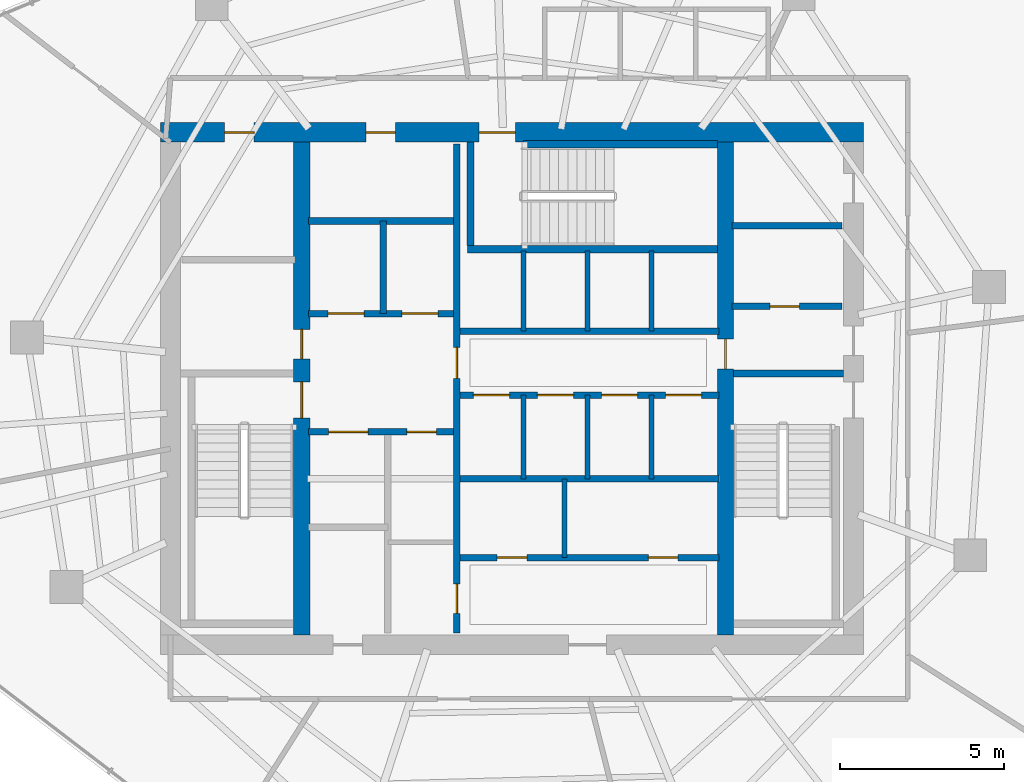
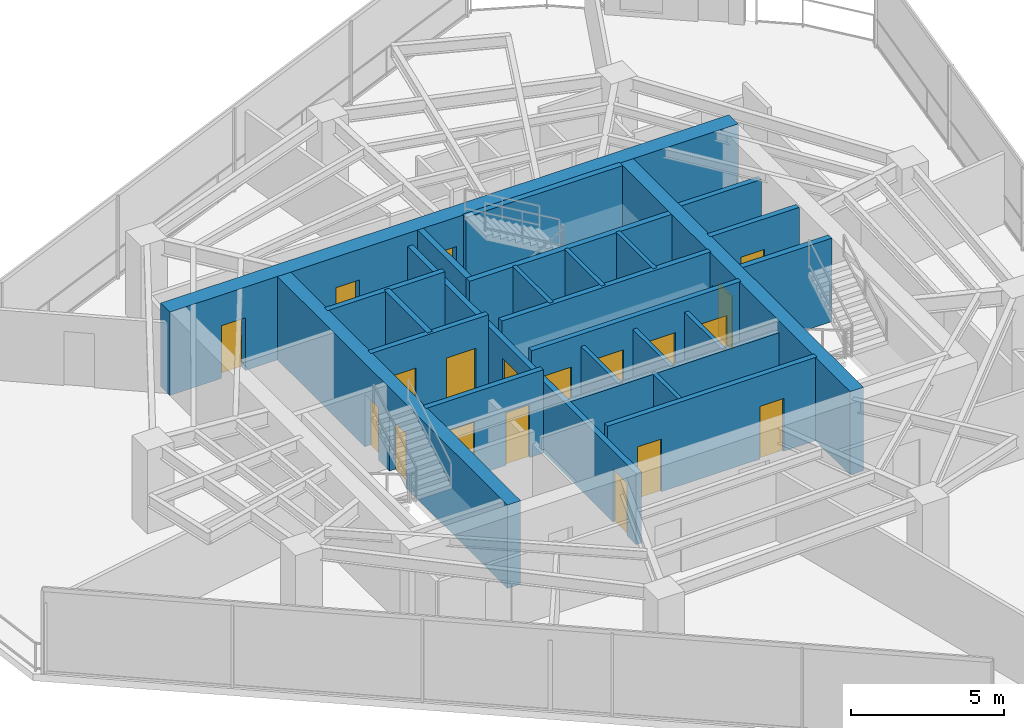
# One storey, part 16 of 20: 25 walls, 19 doors, 19 openings.
"""IFC4 building model written with IfcOpenShell, lengths in metres."""

from ifc_helpers import new_model, si_unit, direction, frame, frame_2d, origin, place, context, subcontext, project, spatial, rectangle, extrude, material, layer, layer_set, type_object, element, fill, save


model = new_model("IFC4")

# Units and contexts
model_context = context("Model", 3, precision=1e-05, world=origin(), true_north=direction((0.0, 1.0)))
body_context = subcontext(model_context, "Body", "Model", "MODEL_VIEW")
ifc_project = project(units=[si_unit("LENGTHUNIT", "METRE"), si_unit("AREAUNIT", "SQUARE_METRE"), si_unit("VOLUMEUNIT", "CUBIC_METRE"), si_unit("PLANEANGLEUNIT", "RADIAN"), si_unit("MASSUNIT", "GRAM", prefix="KILO")], contexts=[model_context])

# Site, building, storey
site_placement = place(None, origin())
site = spatial("IfcSite", under=ifc_project, at=site_placement, CompositionType="ELEMENT")
building_placement = place(site_placement, origin())
building = spatial("IfcBuilding", under=site, at=building_placement, Name="Qarnah Convention Tower", CompositionType="ELEMENT")
storey_placement = place(building_placement, frame((0.0, 0.0, 150.89990234375)))
storey = spatial("IfcBuildingStorey", under=building, at=storey_placement, Name="L40", CompositionType="ELEMENT", Elevation=150.89990234375)

# Wall, openings, doors
ifc_material_1 = material(Name="Concrete C60/75", Category="concrete")
ifc_layer_1 = layer(ifc_material_1, 0.60009765625)
ifc_layer_set_1 = layer_set([ifc_layer_1], Name="Concrete C60/75")
wall_type_1 = type_object("IfcWallType", Name="WL-CORE-600", PredefinedType="SHEAR", material=ifc_layer_set_1)
wall_1_placement = place(storey_placement, frame((26.5, 34.199951171875, 0.0), z_axis=(0.0, 0.0, 1.0), x_axis=(1.0, 0.0, 0.0)))
wall_1 = element("IfcWall", 1, at=wall_1_placement, inside=storey, type_object=wall_type_1, Name="L40 core north shear wall", PredefinedType="SHEAR", context=body_context, shape_type="SweptSolid", body=[
    extrude(rectangle(XDim=21.39990234375, YDim=0.60009765625, at=frame_2d((10.699951171875, 0.0))), origin(), (0.0, 0.0, 1.0), 3.320068359375),
])
opening_1_placement = place(wall_1_placement, frame((9.699951171875, 0.0, 0.0)))
opening_1 = element("IfcOpeningElement", 2, at=opening_1_placement, cuts=wall_1, Name="Opening D-4003", PredefinedType="OPENING", context=body_context, shape_type="SweptSolid", body=[
    extrude(rectangle(XDim=1.10009765625, YDim=2.14990234375, at=frame_2d((0.550048828125, 1.074951171875))), frame((0.0, 0.31005859375, 0.0), z_axis=(0.0, -1.0, 0.0), x_axis=(1.0, 0.0, 0.0)), (0.0, 0.0, 1.0), 0.6201171875),
])
opening_2_placement = place(wall_1_placement, frame((1.949951171875, 0.0, 0.0)))
opening_2 = element("IfcOpeningElement", 3, at=opening_2_placement, cuts=wall_1, Name="Opening D-4009", PredefinedType="OPENING", context=body_context, shape_type="SweptSolid", body=[
    extrude(rectangle(XDim=0.89990234375, YDim=2.10009765625, at=frame_2d((0.449951171875, 1.050048828125))), frame((0.0, 0.31005859375, 0.0), z_axis=(0.0, -1.0, 0.0), x_axis=(1.0, 0.0, 0.0)), (0.0, 0.0, 1.0), 0.6201171875),
])
opening_3_placement = place(wall_1_placement, frame((6.25, 0.0, 0.0)))
opening_3 = element("IfcOpeningElement", 4, at=opening_3_placement, cuts=wall_1, Name="Opening D-4010", PredefinedType="OPENING", context=body_context, shape_type="SweptSolid", body=[
    extrude(rectangle(XDim=0.89990234375, YDim=2.10009765625, at=frame_2d((0.449951171875, 1.050048828125))), frame((0.0, 0.31005859375, 0.0), z_axis=(0.0, -1.0, 0.0), x_axis=(1.0, 0.0, 0.0)), (0.0, 0.0, 1.0), 0.6201171875),
])
ifc_material_2 = material(Name="Structural steel S355JR", Category="steel")
door_type_1 = type_object("IfcDoorType", Name="DT-RISER-900", OperationType="NOTDEFINED", PredefinedType="DOOR", material=ifc_material_2)
door_1_placement = place(opening_2_placement, origin())
door_1 = element("IfcDoor", 5, at=door_1_placement, inside=storey, type_object=door_type_1, Name="Door D-4009", OperationType="SINGLE_SWING_RIGHT", OverallHeight=2.10009765625, OverallWidth=0.89990234375, PredefinedType="DOOR", context=body_context, shape_type="SweptSolid", body=[
    extrude(rectangle(XDim=0.89990234375, YDim=2.10009765625, at=frame_2d((0.449951171875, 1.050048828125))), frame((0.0, 0.02490234375, 0.0), z_axis=(0.0, -1.0, 0.0), x_axis=(1.0, 0.0, 0.0)), (0.0, 0.0, 1.0), 0.050048828125),
])
fill(opening_2, door_1)
door_2_placement = place(opening_3_placement, origin())
door_2 = element("IfcDoor", 6, at=door_2_placement, inside=storey, type_object=door_type_1, Name="Door D-4010", OperationType="SINGLE_SWING_LEFT", OverallHeight=2.10009765625, OverallWidth=0.89990234375, PredefinedType="DOOR", context=body_context, shape_type="SweptSolid", body=[
    extrude(rectangle(XDim=0.89990234375, YDim=2.10009765625, at=frame_2d((0.449951171875, 1.050048828125))), frame((0.0, 0.02490234375, 0.0), z_axis=(0.0, -1.0, 0.0), x_axis=(1.0, 0.0, 0.0)), (0.0, 0.0, 1.0), 0.050048828125),
])
fill(opening_3, door_2)
door_type_2 = type_object("IfcDoorType", Name="DT-STAIR-1100", OperationType="NOTDEFINED", PredefinedType="DOOR", material=ifc_material_2)
door_3_placement = place(opening_1_placement, origin())
door_3 = element("IfcDoor", 7, at=door_3_placement, inside=storey, type_object=door_type_2, Name="Door D-4003", OperationType="SINGLE_SWING_RIGHT", OverallHeight=2.14990234375, OverallWidth=1.10009765625, PredefinedType="DOOR", context=body_context, shape_type="SweptSolid", body=[
    extrude(rectangle(XDim=1.10009765625, YDim=2.14990234375, at=frame_2d((0.550048828125, 1.074951171875))), frame((0.0, 0.02490234375, 0.0), z_axis=(0.0, -1.0, 0.0), x_axis=(1.0, 0.0, 0.0)), (0.0, 0.0, 1.0), 0.050048828125),
])
fill(opening_1, door_3)

ifc_layer_2 = layer(ifc_material_1, 0.5)
ifc_layer_set_2 = layer_set([ifc_layer_2], Name="Concrete C60/75")
wall_type_2 = type_object("IfcWallType", Name="WL-CORE-INT-400", PredefinedType="SHEAR", material=ifc_layer_set_2)
wall_2_placement = place(storey_placement, frame((30.800048828125, 18.89990234375, 0.0), z_axis=(0.0, 0.0, 1.0), x_axis=(0.0, 1.0, 0.0)))
wall_2 = element("IfcWall", 8, at=wall_2_placement, inside=storey, type_object=wall_type_2, Name="L40 core west spine shear wall", PredefinedType="SHEAR", context=body_context, shape_type="SweptSolid", body=[
    extrude(rectangle(XDim=15.0, YDim=0.5, at=frame_2d((7.5, 0.0))), origin(), (0.0, 0.0, 1.0), 3.320068359375),
])
opening_4_placement = place(wall_2_placement, frame((6.60009765625, 0.0, 0.0)))
opening_4 = element("IfcOpeningElement", 9, at=opening_4_placement, cuts=wall_2, Name="Opening D-4001", PredefinedType="OPENING", context=body_context, shape_type="SweptSolid", body=[
    extrude(rectangle(XDim=1.10009765625, YDim=2.14990234375, at=frame_2d((0.550048828125, 1.074951171875))), frame((0.0, 0.260009765625, 0.0), z_axis=(0.0, -1.0, 0.0), x_axis=(1.0, 0.0, 0.0)), (0.0, 0.0, 1.0), 0.52001953125),
])
opening_5_placement = place(wall_2_placement, frame((8.39990234375, 0.0, 0.0)))
opening_5 = element("IfcOpeningElement", 10, at=opening_5_placement, cuts=wall_2, Name="Opening D-4008", PredefinedType="OPENING", context=body_context, shape_type="SweptSolid", body=[
    extrude(rectangle(XDim=0.89990234375, YDim=2.10009765625, at=frame_2d((0.449951171875, 1.050048828125))), frame((0.0, 0.260009765625, 0.0), z_axis=(0.0, -1.0, 0.0), x_axis=(1.0, 0.0, 0.0)), (0.0, 0.0, 1.0), 0.52001953125),
])
door_4_placement = place(opening_5_placement, origin())
door_4 = element("IfcDoor", 11, at=door_4_placement, inside=storey, type_object=door_type_1, Name="Door D-4008", OperationType="SINGLE_SWING_LEFT", OverallHeight=2.10009765625, OverallWidth=0.89990234375, PredefinedType="DOOR", context=body_context, shape_type="SweptSolid", body=[
    extrude(rectangle(XDim=0.89990234375, YDim=2.10009765625, at=frame_2d((0.449951171875, 1.050048828125))), frame((0.0, 0.02490234375, 0.0), z_axis=(0.0, -1.0, 0.0), x_axis=(1.0, 0.0, 0.0)), (0.0, 0.0, 1.0), 0.050048828125),
])
fill(opening_5, door_4)
door_5_placement = place(opening_4_placement, origin())
door_5 = element("IfcDoor", 12, at=door_5_placement, inside=storey, type_object=door_type_2, Name="Door D-4001", OperationType="SINGLE_SWING_RIGHT", OverallHeight=2.14990234375, OverallWidth=1.10009765625, PredefinedType="DOOR", context=body_context, shape_type="SweptSolid", body=[
    extrude(rectangle(XDim=1.10009765625, YDim=2.14990234375, at=frame_2d((0.550048828125, 1.074951171875))), frame((0.0, 0.02490234375, 0.0), z_axis=(0.0, -1.0, 0.0), x_axis=(1.0, 0.0, 0.0)), (0.0, 0.0, 1.0), 0.050048828125),
])
fill(opening_4, door_5)

# Wall, opening, door
wall_3_placement = place(storey_placement, frame((43.699951171875, 18.89990234375, 0.0), z_axis=(0.0, 0.0, 1.0), x_axis=(0.0, 1.0, 0.0)))
wall_3 = element("IfcWall", 13, at=wall_3_placement, inside=storey, type_object=wall_type_2, Name="L40 core east spine shear wall", PredefinedType="SHEAR", context=body_context, shape_type="SweptSolid", body=[
    extrude(rectangle(XDim=15.0, YDim=0.5, at=frame_2d((7.5, 0.0))), origin(), (0.0, 0.0, 1.0), 3.320068359375),
])
opening_6_placement = place(wall_3_placement, frame((8.10009765625, 0.0, 0.0)))
opening_6 = element("IfcOpeningElement", 14, at=opening_6_placement, cuts=wall_3, Name="Opening D-4005", PredefinedType="OPENING", context=body_context, shape_type="SweptSolid", body=[
    extrude(rectangle(XDim=0.89990234375, YDim=2.10009765625, at=frame_2d((0.449951171875, 1.050048828125))), frame((0.0, 0.260009765625, 0.0), z_axis=(0.0, -1.0, 0.0), x_axis=(1.0, 0.0, 0.0)), (0.0, 0.0, 1.0), 0.52001953125),
])
door_6_placement = place(opening_6_placement, origin())
door_6 = element("IfcDoor", 15, at=door_6_placement, inside=storey, type_object=door_type_1, Name="Door D-4005", OperationType="SINGLE_SWING_RIGHT", OverallHeight=2.10009765625, OverallWidth=0.89990234375, PredefinedType="DOOR", context=body_context, shape_type="SweptSolid", body=[
    extrude(rectangle(XDim=0.89990234375, YDim=2.10009765625, at=frame_2d((0.449951171875, 1.050048828125))), frame((0.0, 0.02490234375, 0.0), z_axis=(0.0, -1.0, 0.0), x_axis=(1.0, 0.0, 0.0)), (0.0, 0.0, 1.0), 0.050048828125),
])
fill(opening_6, door_6)

ifc_material_3 = material(Name="Concrete C45/55", Category="concrete")
ifc_layer_3 = layer(ifc_material_3, 0.199951171875)
ifc_layer_set_3 = layer_set([ifc_layer_3], Name="Concrete C45/55")
wall_type_3 = type_object("IfcWallType", Name="WL-CORE-PART-200", PredefinedType="SOLIDWALL", material=ifc_layer_set_3)
wall_4_placement = place(storey_placement, frame((43.89990234375, 28.89990234375, 0.0), z_axis=(0.0, 0.0, 1.0), x_axis=(1.0, 0.0, 0.0)))
wall_4 = element("IfcWall", 16, at=wall_4_placement, inside=storey, type_object=wall_type_3, Name="L40 interior wall IW-L40-EVSTN", PredefinedType="SOLIDWALL", context=body_context, shape_type="SweptSolid", body=[
    extrude(rectangle(XDim=3.35009765625, YDim=0.199951171875, at=frame_2d((1.675048828125, 0.0))), origin(), (0.0, 0.0, 1.0), 3.320068359375),
])
opening_7_placement = place(wall_4_placement, frame((1.14990234375, 0.0, 0.0)))
opening_7 = element("IfcOpeningElement", 17, at=opening_7_placement, cuts=wall_4, Name="Opening D-4011", PredefinedType="OPENING", context=body_context, shape_type="SweptSolid", body=[
    extrude(rectangle(XDim=0.89990234375, YDim=2.10009765625, at=frame_2d((0.449951171875, 1.050048828125))), frame((0.0, 0.10986328125, 0.0), z_axis=(0.0, -1.0, 0.0), x_axis=(1.0, 0.0, 0.0)), (0.0, 0.0, 1.0), 0.219970703125),
])
door_7_placement = place(opening_7_placement, origin())
door_7 = element("IfcDoor", 18, at=door_7_placement, inside=storey, type_object=door_type_1, Name="Door D-4011", OperationType="SINGLE_SWING_RIGHT", OverallHeight=2.10009765625, OverallWidth=0.89990234375, PredefinedType="DOOR", context=body_context, shape_type="SweptSolid", body=[
    extrude(rectangle(XDim=0.89990234375, YDim=2.10009765625, at=frame_2d((0.449951171875, 1.050048828125))), frame((0.0, 0.02490234375, 0.0), z_axis=(0.0, -1.0, 0.0), x_axis=(1.0, 0.0, 0.0)), (0.0, 0.0, 1.0), 0.050048828125),
])
fill(opening_7, door_7)

# Wall
wall_5_placement = place(storey_placement, frame((43.89990234375, 31.35009765625, 0.0), z_axis=(0.0, 0.0, 1.0), x_axis=(1.0, 0.0, 0.0)))
element("IfcWall", 19, at=wall_5_placement, inside=storey, type_object=wall_type_3, Name="L40 interior wall IW-L40-WTRN", PredefinedType="SOLIDWALL", context=body_context, shape_type="SweptSolid", body=[
    extrude(rectangle(XDim=3.35009765625, YDim=0.199951171875, at=frame_2d((1.675048828125, 0.0))), origin(), (0.0, 0.0, 1.0), 2.94921875),
])

# Wall, openings, doors
wall_6_placement = place(storey_placement, frame((35.52001953125, 18.949951171875, 0.0), z_axis=(0.0, 0.0, 1.0), x_axis=(0.0, 1.0, 0.0)))
wall_6 = element("IfcWall", 20, at=wall_6_placement, inside=storey, type_object=wall_type_3, Name="L40 interior wall IW-L40-CSP", PredefinedType="SOLIDWALL", context=body_context, shape_type="SweptSolid", body=[
    extrude(rectangle(XDim=14.900146484375, YDim=0.199951171875, at=frame_2d((7.4501953125, 0.0))), origin(), (0.0, 0.0, 1.0), 2.841064453125),
])
opening_8_placement = place(wall_6_placement, frame((7.7548828125, 0.0, 0.0)))
opening_8 = element("IfcOpeningElement", 21, at=opening_8_placement, cuts=wall_6, Name="Opening D-4004", PredefinedType="OPENING", context=body_context, shape_type="SweptSolid", body=[
    extrude(rectangle(XDim=0.949951171875, YDim=2.14990234375, at=frame_2d((0.47509765625, 1.074951171875))), frame((0.0, 0.10986328125, 0.0), z_axis=(0.0, -1.0, 0.0), x_axis=(1.0, 0.0, 0.0)), (0.0, 0.0, 1.0), 0.219970703125),
])
opening_9_placement = place(wall_6_placement, frame((0.60009765625, 0.0, 0.0)))
opening_9 = element("IfcOpeningElement", 22, at=opening_9_placement, cuts=wall_6, Name="Opening D-4014", PredefinedType="OPENING", context=body_context, shape_type="SweptSolid", body=[
    extrude(rectangle(XDim=0.89990234375, YDim=2.10009765625, at=frame_2d((0.449951171875, 1.050048828125))), frame((0.0, 0.10986328125, 0.0), z_axis=(0.0, -1.0, 0.0), x_axis=(1.0, 0.0, 0.0)), (0.0, 0.0, 1.0), 0.219970703125),
])
ifc_material_4 = material(Name="Oak timber veneer", Category="wood")
door_type_3 = type_object("IfcDoorType", Name="DT-HOTEL-950", OperationType="NOTDEFINED", PredefinedType="DOOR", material=ifc_material_4)
door_8_placement = place(opening_8_placement, origin())
door_8 = element("IfcDoor", 23, at=door_8_placement, inside=storey, type_object=door_type_3, Name="Door D-4004", OperationType="SINGLE_SWING_LEFT", OverallHeight=2.14990234375, OverallWidth=0.949951171875, PredefinedType="DOOR", context=body_context, shape_type="SweptSolid", body=[
    extrude(rectangle(XDim=0.949951171875, YDim=2.14990234375, at=frame_2d((0.47509765625, 1.074951171875))), frame((0.0, 0.02490234375, 0.0), z_axis=(0.0, -1.0, 0.0), x_axis=(1.0, 0.0, 0.0)), (0.0, 0.0, 1.0), 0.050048828125),
])
fill(opening_8, door_8)
door_9_placement = place(opening_9_placement, origin())
door_9 = element("IfcDoor", 24, at=door_9_placement, inside=storey, type_object=door_type_1, Name="Door D-4014", OperationType="SINGLE_SWING_LEFT", OverallHeight=2.10009765625, OverallWidth=0.89990234375, PredefinedType="DOOR", context=body_context, shape_type="SweptSolid", body=[
    extrude(rectangle(XDim=0.89990234375, YDim=2.10009765625, at=frame_2d((0.449951171875, 1.050048828125))), frame((0.0, 0.02490234375, 0.0), z_axis=(0.0, -1.0, 0.0), x_axis=(1.0, 0.0, 0.0)), (0.0, 0.0, 1.0), 0.050048828125),
])
fill(opening_9, door_9)

wall_7_placement = place(storey_placement, frame((31.0, 28.679931640625, 0.0), z_axis=(0.0, 0.0, 1.0), x_axis=(1.0, 0.0, 0.0)))
wall_7 = element("IfcWall", 25, at=wall_7_placement, inside=storey, type_object=wall_type_3, Name="L40 interior wall IW-L40-FFLS", PredefinedType="SOLIDWALL", context=body_context, shape_type="SweptSolid", body=[
    extrude(rectangle(XDim=4.419921875, YDim=0.199951171875, at=frame_2d((2.2099609375, 0.0))), origin(), (0.0, 0.0, 1.0), 3.320068359375),
])
opening_10_placement = place(wall_7_placement, frame((0.60009765625, 0.0, 0.0)))
opening_10 = element("IfcOpeningElement", 26, at=opening_10_placement, cuts=wall_7, Name="Opening LD-4001", PredefinedType="OPENING", context=body_context, shape_type="SweptSolid", body=[
    extrude(rectangle(XDim=1.10009765625, YDim=2.14990234375, at=frame_2d((0.550048828125, 1.074951171875))), frame((0.0, 0.10986328125, 0.0), z_axis=(0.0, -1.0, 0.0), x_axis=(1.0, 0.0, 0.0)), (0.0, 0.0, 1.0), 0.219970703125),
])
opening_11_placement = place(wall_7_placement, frame((2.85009765625, 0.0, 0.0)))
opening_11 = element("IfcOpeningElement", 27, at=opening_11_placement, cuts=wall_7, Name="Opening LD-4002", PredefinedType="OPENING", context=body_context, shape_type="SweptSolid", body=[
    extrude(rectangle(XDim=1.10009765625, YDim=2.14990234375, at=frame_2d((0.550048828125, 1.074951171875))), frame((0.0, 0.10986328125, 0.0), z_axis=(0.0, -1.0, 0.0), x_axis=(1.0, 0.0, 0.0)), (0.0, 0.0, 1.0), 0.219970703125),
])
door_type_4 = type_object("IfcDoorType", Name="DT-LIFT-1100", OperationType="SLIDING_TO_LEFT", PredefinedType="DOOR", material=ifc_material_2)
door_10_placement = place(opening_10_placement, origin())
door_10 = element("IfcDoor", 28, at=door_10_placement, inside=storey, type_object=door_type_4, Name="Door LD-4001", OperationType="SLIDING_TO_LEFT", OverallHeight=2.14990234375, OverallWidth=1.10009765625, PredefinedType="DOOR", context=body_context, shape_type="SweptSolid", body=[
    extrude(rectangle(XDim=1.10009765625, YDim=2.14990234375, at=frame_2d((0.550048828125, 1.074951171875))), frame((0.0, 0.02490234375, 0.0), z_axis=(0.0, -1.0, 0.0), x_axis=(1.0, 0.0, 0.0)), (0.0, 0.0, 1.0), 0.050048828125),
])
fill(opening_10, door_10)
door_11_placement = place(opening_11_placement, origin())
door_11 = element("IfcDoor", 29, at=door_11_placement, inside=storey, type_object=door_type_4, Name="Door LD-4002", OperationType="SLIDING_TO_LEFT", OverallHeight=2.14990234375, OverallWidth=1.10009765625, PredefinedType="DOOR", context=body_context, shape_type="SweptSolid", body=[
    extrude(rectangle(XDim=1.10009765625, YDim=2.14990234375, at=frame_2d((0.550048828125, 1.074951171875))), frame((0.0, 0.02490234375, 0.0), z_axis=(0.0, -1.0, 0.0), x_axis=(1.0, 0.0, 0.0)), (0.0, 0.0, 1.0), 0.050048828125),
])
fill(opening_11, door_11)

# Walls
wall_8_placement = place(storey_placement, frame((31.0, 31.5, 0.0), z_axis=(0.0, 0.0, 1.0), x_axis=(1.0, 0.0, 0.0)))
element("IfcWall", 30, at=wall_8_placement, inside=storey, type_object=wall_type_3, Name="L40 interior wall IW-L40-FFLN", PredefinedType="SOLIDWALL", context=body_context, shape_type="SweptSolid", body=[
    extrude(rectangle(XDim=4.419921875, YDim=0.199951171875, at=frame_2d((2.2099609375, 0.0))), origin(), (0.0, 0.0, 1.0), 3.320068359375),
])
wall_9_placement = place(storey_placement, frame((33.280029296875, 28.679931640625, 0.0), z_axis=(0.0, 0.0, 1.0), x_axis=(0.0, 1.0, 0.0)))
element("IfcWall", 31, at=wall_9_placement, inside=storey, type_object=wall_type_3, Name="L40 interior wall IW-L40-FFLM", PredefinedType="SOLIDWALL", context=body_context, shape_type="SweptSolid", body=[
    extrude(rectangle(XDim=2.820068359375, YDim=0.199951171875, at=frame_2d((1.41015625, 0.0))), origin(), (0.0, 0.0, 1.0), 3.320068359375),
])

# Wall, openings, doors
wall_10_placement = place(storey_placement, frame((31.0, 25.080078125, 0.0), z_axis=(0.0, 0.0, 1.0), x_axis=(1.0, 0.0, 0.0)))
wall_10 = element("IfcWall", 32, at=wall_10_placement, inside=storey, type_object=wall_type_3, Name="L40 interior wall IW-L40-FFLBS", PredefinedType="SOLIDWALL", context=body_context, shape_type="SweptSolid", body=[
    extrude(rectangle(XDim=4.419921875, YDim=0.199951171875, at=frame_2d((2.2099609375, 0.0))), origin(), (0.0, 0.0, 1.0), 3.320068359375),
])
opening_12_placement = place(wall_10_placement, frame((3.0, 0.0, 0.0)))
opening_12 = element("IfcOpeningElement", 33, at=opening_12_placement, cuts=wall_10, Name="Opening D-4015", PredefinedType="OPENING", context=body_context, shape_type="SweptSolid", body=[
    extrude(rectangle(XDim=0.89990234375, YDim=2.10009765625, at=frame_2d((0.449951171875, 1.050048828125))), frame((0.0, 0.10986328125, 0.0), z_axis=(0.0, -1.0, 0.0), x_axis=(1.0, 0.0, 0.0)), (0.0, 0.0, 1.0), 0.219970703125),
])
opening_13_placement = place(wall_10_placement, frame((0.6201171875, 0.0, 0.0)))
opening_13 = element("IfcOpeningElement", 34, at=opening_13_placement, cuts=wall_10, Name="Opening LD-4003", PredefinedType="OPENING", context=body_context, shape_type="SweptSolid", body=[
    extrude(rectangle(XDim=1.199951171875, YDim=2.14990234375, at=frame_2d((0.60009765625, 1.074951171875))), frame((0.0, 0.10986328125, 0.0), z_axis=(0.0, -1.0, 0.0), x_axis=(1.0, 0.0, 0.0)), (0.0, 0.0, 1.0), 0.219970703125),
])
door_type_5 = type_object("IfcDoorType", Name="DT-LIFT-1200", OperationType="SLIDING_TO_LEFT", PredefinedType="DOOR", material=ifc_material_2)
door_12_placement = place(opening_13_placement, origin())
door_12 = element("IfcDoor", 35, at=door_12_placement, inside=storey, type_object=door_type_5, Name="Door LD-4003", OperationType="SLIDING_TO_LEFT", OverallHeight=2.14990234375, OverallWidth=1.199951171875, PredefinedType="DOOR", context=body_context, shape_type="SweptSolid", body=[
    extrude(rectangle(XDim=1.199951171875, YDim=2.14990234375, at=frame_2d((0.60009765625, 1.074951171875))), frame((0.0, 0.02490234375, 0.0), z_axis=(0.0, -1.0, 0.0), x_axis=(1.0, 0.0, 0.0)), (0.0, 0.0, 1.0), 0.050048828125),
])
fill(opening_13, door_12)
door_13_placement = place(opening_12_placement, origin())
door_13 = element("IfcDoor", 36, at=door_13_placement, inside=storey, type_object=door_type_1, Name="Door D-4015", OperationType="SINGLE_SWING_RIGHT", OverallHeight=2.10009765625, OverallWidth=0.89990234375, PredefinedType="DOOR", context=body_context, shape_type="SweptSolid", body=[
    extrude(rectangle(XDim=0.89990234375, YDim=2.10009765625, at=frame_2d((0.449951171875, 1.050048828125))), frame((0.0, 0.02490234375, 0.0), z_axis=(0.0, -1.0, 0.0), x_axis=(1.0, 0.0, 0.0)), (0.0, 0.0, 1.0), 0.050048828125),
])
fill(opening_12, door_13)

# Wall
wall_11_placement = place(storey_placement, frame((35.6201171875, 28.14990234375, 0.0), z_axis=(0.0, 0.0, 1.0), x_axis=(1.0, 0.0, 0.0)))
element("IfcWall", 37, at=wall_11_placement, inside=storey, type_object=wall_type_3, Name="L40 interior wall IW-L40-PHS", PredefinedType="SOLIDWALL", context=body_context, shape_type="SweptSolid", body=[
    extrude(rectangle(XDim=7.8798828125, YDim=0.199951171875, at=frame_2d((3.93994140625, 0.0))), origin(), (0.0, 0.0, 1.0), 3.320068359375),
])

# Wall, openings, doors
wall_12_placement = place(storey_placement, frame((35.6201171875, 26.199951171875, 0.0), z_axis=(0.0, 0.0, 1.0), x_axis=(1.0, 0.0, 0.0)))
wall_12 = element("IfcWall", 38, at=wall_12_placement, inside=storey, type_object=wall_type_3, Name="L40 interior wall IW-L40-PMN", PredefinedType="SOLIDWALL", context=body_context, shape_type="SweptSolid", body=[
    extrude(rectangle(XDim=7.8798828125, YDim=0.199951171875, at=frame_2d((3.93994140625, 0.0))), origin(), (0.0, 0.0, 1.0), 3.320068359375),
])
opening_14_placement = place(wall_12_placement, frame((0.405029296875, 0.0, 0.0)))
opening_14 = element("IfcOpeningElement", 39, at=opening_14_placement, cuts=wall_12, Name="Opening LD-4004", PredefinedType="OPENING", context=body_context, shape_type="SweptSolid", body=[
    extrude(rectangle(XDim=1.10009765625, YDim=2.14990234375, at=frame_2d((0.550048828125, 1.074951171875))), frame((0.0, 0.10986328125, 0.0), z_axis=(0.0, -1.0, 0.0), x_axis=(1.0, 0.0, 0.0)), (0.0, 0.0, 1.0), 0.219970703125),
])
opening_15_placement = place(wall_12_placement, frame((2.35498046875, 0.0, 0.0)))
opening_15 = element("IfcOpeningElement", 40, at=opening_15_placement, cuts=wall_12, Name="Opening LD-4005", PredefinedType="OPENING", context=body_context, shape_type="SweptSolid", body=[
    extrude(rectangle(XDim=1.10009765625, YDim=2.14990234375, at=frame_2d((0.550048828125, 1.074951171875))), frame((0.0, 0.10986328125, 0.0), z_axis=(0.0, -1.0, 0.0), x_axis=(1.0, 0.0, 0.0)), (0.0, 0.0, 1.0), 0.219970703125),
])
opening_16_placement = place(wall_12_placement, frame((4.304931640625, 0.0, 0.0)))
opening_16 = element("IfcOpeningElement", 41, at=opening_16_placement, cuts=wall_12, Name="Opening LD-4006", PredefinedType="OPENING", context=body_context, shape_type="SweptSolid", body=[
    extrude(rectangle(XDim=1.10009765625, YDim=2.14990234375, at=frame_2d((0.550048828125, 1.074951171875))), frame((0.0, 0.10986328125, 0.0), z_axis=(0.0, -1.0, 0.0), x_axis=(1.0, 0.0, 0.0)), (0.0, 0.0, 1.0), 0.219970703125),
])
opening_17_placement = place(wall_12_placement, frame((6.2548828125, 0.0, 0.0)))
opening_17 = element("IfcOpeningElement", 42, at=opening_17_placement, cuts=wall_12, Name="Opening LD-4007", PredefinedType="OPENING", context=body_context, shape_type="SweptSolid", body=[
    extrude(rectangle(XDim=1.10009765625, YDim=2.14990234375, at=frame_2d((0.550048828125, 1.074951171875))), frame((0.0, 0.10986328125, 0.0), z_axis=(0.0, -1.0, 0.0), x_axis=(1.0, 0.0, 0.0)), (0.0, 0.0, 1.0), 0.219970703125),
])
door_14_placement = place(opening_14_placement, origin())
door_14 = element("IfcDoor", 43, at=door_14_placement, inside=storey, type_object=door_type_4, Name="Door LD-4004", OperationType="SLIDING_TO_LEFT", OverallHeight=2.14990234375, OverallWidth=1.10009765625, PredefinedType="DOOR", context=body_context, shape_type="SweptSolid", body=[
    extrude(rectangle(XDim=1.10009765625, YDim=2.14990234375, at=frame_2d((0.550048828125, 1.074951171875))), frame((0.0, 0.02490234375, 0.0), z_axis=(0.0, -1.0, 0.0), x_axis=(1.0, 0.0, 0.0)), (0.0, 0.0, 1.0), 0.050048828125),
])
fill(opening_14, door_14)
door_15_placement = place(opening_15_placement, origin())
door_15 = element("IfcDoor", 44, at=door_15_placement, inside=storey, type_object=door_type_4, Name="Door LD-4005", OperationType="SLIDING_TO_LEFT", OverallHeight=2.14990234375, OverallWidth=1.10009765625, PredefinedType="DOOR", context=body_context, shape_type="SweptSolid", body=[
    extrude(rectangle(XDim=1.10009765625, YDim=2.14990234375, at=frame_2d((0.550048828125, 1.074951171875))), frame((0.0, 0.02490234375, 0.0), z_axis=(0.0, -1.0, 0.0), x_axis=(1.0, 0.0, 0.0)), (0.0, 0.0, 1.0), 0.050048828125),
])
fill(opening_15, door_15)
door_16_placement = place(opening_16_placement, origin())
door_16 = element("IfcDoor", 45, at=door_16_placement, inside=storey, type_object=door_type_4, Name="Door LD-4006", OperationType="SLIDING_TO_LEFT", OverallHeight=2.14990234375, OverallWidth=1.10009765625, PredefinedType="DOOR", context=body_context, shape_type="SweptSolid", body=[
    extrude(rectangle(XDim=1.10009765625, YDim=2.14990234375, at=frame_2d((0.550048828125, 1.074951171875))), frame((0.0, 0.02490234375, 0.0), z_axis=(0.0, -1.0, 0.0), x_axis=(1.0, 0.0, 0.0)), (0.0, 0.0, 1.0), 0.050048828125),
])
fill(opening_16, door_16)
door_17_placement = place(opening_17_placement, origin())
door_17 = element("IfcDoor", 46, at=door_17_placement, inside=storey, type_object=door_type_4, Name="Door LD-4007", OperationType="SLIDING_TO_LEFT", OverallHeight=2.14990234375, OverallWidth=1.10009765625, PredefinedType="DOOR", context=body_context, shape_type="SweptSolid", body=[
    extrude(rectangle(XDim=1.10009765625, YDim=2.14990234375, at=frame_2d((0.550048828125, 1.074951171875))), frame((0.0, 0.02490234375, 0.0), z_axis=(0.0, -1.0, 0.0), x_axis=(1.0, 0.0, 0.0)), (0.0, 0.0, 1.0), 0.050048828125),
])
fill(opening_17, door_17)

# Wall
wall_13_placement = place(storey_placement, frame((35.6201171875, 23.64990234375, 0.0), z_axis=(0.0, 0.0, 1.0), x_axis=(1.0, 0.0, 0.0)))
element("IfcWall", 47, at=wall_13_placement, inside=storey, type_object=wall_type_3, Name="L40 interior wall IW-L40-PMPL", PredefinedType="SOLIDWALL", context=body_context, shape_type="SweptSolid", body=[
    extrude(rectangle(XDim=7.8798828125, YDim=0.199951171875, at=frame_2d((3.93994140625, 0.0))), origin(), (0.0, 0.0, 1.0), 2.841064453125),
])

# Wall, openings, doors
wall_14_placement = place(storey_placement, frame((35.6201171875, 21.25, 0.0), z_axis=(0.0, 0.0, 1.0), x_axis=(1.0, 0.0, 0.0)))
wall_14 = element("IfcWall", 48, at=wall_14_placement, inside=storey, type_object=wall_type_3, Name="L40 interior wall IW-L40-PLS", PredefinedType="SOLIDWALL", context=body_context, shape_type="SweptSolid", body=[
    extrude(rectangle(XDim=7.8798828125, YDim=0.199951171875, at=frame_2d((3.93994140625, 0.0))), origin(), (0.0, 0.0, 1.0), 3.320068359375),
])
opening_18_placement = place(wall_14_placement, frame((1.1298828125, 0.0, 0.0)))
opening_18 = element("IfcOpeningElement", 49, at=opening_18_placement, cuts=wall_14, Name="Opening D-4016", PredefinedType="OPENING", context=body_context, shape_type="SweptSolid", body=[
    extrude(rectangle(XDim=0.89990234375, YDim=2.10009765625, at=frame_2d((0.449951171875, 1.050048828125))), frame((0.0, 0.10986328125, 0.0), z_axis=(0.0, -1.0, 0.0), x_axis=(1.0, 0.0, 0.0)), (0.0, 0.0, 1.0), 0.219970703125),
])
opening_19_placement = place(wall_14_placement, frame((5.72998046875, 0.0, 0.0)))
opening_19 = element("IfcOpeningElement", 50, at=opening_19_placement, cuts=wall_14, Name="Opening D-4017", PredefinedType="OPENING", context=body_context, shape_type="SweptSolid", body=[
    extrude(rectangle(XDim=0.89990234375, YDim=2.10009765625, at=frame_2d((0.449951171875, 1.050048828125))), frame((0.0, 0.10986328125, 0.0), z_axis=(0.0, -1.0, 0.0), x_axis=(1.0, 0.0, 0.0)), (0.0, 0.0, 1.0), 0.219970703125),
])
door_18_placement = place(opening_18_placement, origin())
door_18 = element("IfcDoor", 51, at=door_18_placement, inside=storey, type_object=door_type_1, Name="Door D-4016", OperationType="SINGLE_SWING_LEFT", OverallHeight=2.10009765625, OverallWidth=0.89990234375, PredefinedType="DOOR", context=body_context, shape_type="SweptSolid", body=[
    extrude(rectangle(XDim=0.89990234375, YDim=2.10009765625, at=frame_2d((0.449951171875, 1.050048828125))), frame((0.0, 0.02490234375, 0.0), z_axis=(0.0, -1.0, 0.0), x_axis=(1.0, 0.0, 0.0)), (0.0, 0.0, 1.0), 0.050048828125),
])
fill(opening_18, door_18)
door_19_placement = place(opening_19_placement, origin())
door_19 = element("IfcDoor", 52, at=door_19_placement, inside=storey, type_object=door_type_1, Name="Door D-4017", OperationType="SINGLE_SWING_RIGHT", OverallHeight=2.10009765625, OverallWidth=0.89990234375, PredefinedType="DOOR", context=body_context, shape_type="SweptSolid", body=[
    extrude(rectangle(XDim=0.89990234375, YDim=2.10009765625, at=frame_2d((0.449951171875, 1.050048828125))), frame((0.0, 0.02490234375, 0.0), z_axis=(0.0, -1.0, 0.0), x_axis=(1.0, 0.0, 0.0)), (0.0, 0.0, 1.0), 0.050048828125),
])
fill(opening_19, door_19)

# Walls
ifc_layer_4 = layer(ifc_material_1, 0.219970703125)
ifc_layer_set_4 = layer_set([ifc_layer_4], Name="Concrete C60/75")
wall_type_4 = type_object("IfcWallType", Name="WL-CORE-STAIR-220", PredefinedType="SHEAR", material=ifc_layer_set_4)
wall_15_placement = place(storey_placement, frame((43.949951171875, 26.860107421875, 0.0), z_axis=(0.0, 0.0, 1.0), x_axis=(1.0, 0.0, 0.0)))
element("IfcWall", 53, at=wall_15_placement, inside=storey, type_object=wall_type_4, Name="L40 stair shaft shear wall SW-L40-ST2N", PredefinedType="SHEAR", context=body_context, shape_type="SweptSolid", body=[
    extrude(rectangle(XDim=3.35009765625, YDim=0.219970703125, at=frame_2d((1.675048828125, 0.0))), origin(), (0.0, 0.0, 1.0), 3.320068359375),
])
wall_16_placement = place(storey_placement, frame((35.840087890625, 30.639892578125, 0.0), z_axis=(0.0, 0.0, 1.0), x_axis=(1.0, 0.0, 0.0)))
element("IfcWall", 54, at=wall_16_placement, inside=storey, type_object=wall_type_4, Name="L40 stair shaft shear wall SW-L40-ST3S", PredefinedType="SHEAR", context=body_context, shape_type="SweptSolid", body=[
    extrude(rectangle(XDim=7.60986328125, YDim=0.219970703125, at=frame_2d((3.804931640625, 0.0))), origin(), (0.0, 0.0, 1.0), 3.320068359375),
])
wall_17_placement = place(storey_placement, frame((35.93994140625, 30.75, 0.0), z_axis=(0.0, 0.0, 1.0), x_axis=(0.0, 1.0, 0.0)))
element("IfcWall", 55, at=wall_17_placement, inside=storey, type_object=wall_type_4, Name="L40 stair shaft shear wall SW-L40-ST3W", PredefinedType="SHEAR", context=body_context, shape_type="SweptSolid", body=[
    extrude(rectangle(XDim=3.14990234375, YDim=0.219970703125, at=frame_2d((1.574951171875, 0.0))), origin(), (0.0, 0.0, 1.0), 3.320068359375),
])
wall_18_placement = place(storey_placement, frame((37.550048828125, 33.840087890625, 0.0), z_axis=(0.0, 0.0, 1.0), x_axis=(1.0, 0.0, 0.0)))
element("IfcWall", 56, at=wall_18_placement, inside=storey, type_object=wall_type_4, Name="L40 stair shaft shear wall SW-L40-ST3N", PredefinedType="SHEAR", context=body_context, shape_type="SweptSolid", body=[
    extrude(rectangle(XDim=5.89990234375, YDim=0.219970703125, at=frame_2d((2.949951171875, 0.0))), origin(), (0.0, 0.0, 1.0), 3.320068359375),
])
ifc_material_5 = material(Name="Gypsum partition board")
ifc_layer_5 = layer(ifc_material_5, 0.14990234375)
ifc_layer_set_5 = layer_set([ifc_layer_5], Name="Gypsum partition board")
wall_type_5 = type_object("IfcWallType", Name="WL-SUITE-150", PredefinedType="PARTITIONING", material=ifc_layer_set_5)
for number, where, z_axis, x_axis, name in (
    (57, (37.550048828125, 28.14990234375, 0.0), (0.0, 0.0, 1.0), (0.0, 1.0, 0.0), "L40 interior wall IW-L40-PHD1"),
    (58, (39.5, 28.14990234375, 0.0), (0.0, 0.0, 1.0), (0.0, 1.0, 0.0), "L40 interior wall IW-L40-PHD2"),
    (59, (41.449951171875, 28.14990234375, 0.0), (0.0, 0.0, 1.0), (0.0, 1.0, 0.0), "L40 interior wall IW-L40-PHD3"),
):
    element("IfcWall", number, at=place(storey_placement, frame(where, z_axis=z_axis, x_axis=x_axis)), inside=storey, type_object=wall_type_5, Name=name, PredefinedType="PARTITIONING", context=body_context, shape_type="SweptSolid", body=[
        extrude(rectangle(XDim=2.43017578125, YDim=0.14990234375, at=frame_2d((1.215087890625, 0.0))), origin(), (0.0, 0.0, 1.0), 3.320068359375),
    ])
for number, where, z_axis, x_axis, name in (
    (60, (37.550048828125, 23.64990234375, 0.0), (0.0, 0.0, 1.0), (0.0, 1.0, 0.0), "L40 interior wall IW-L40-PMD1"),
    (61, (39.5, 23.64990234375, 0.0), (0.0, 0.0, 1.0), (0.0, 1.0, 0.0), "L40 interior wall IW-L40-PMD2"),
    (62, (41.449951171875, 23.64990234375, 0.0), (0.0, 0.0, 1.0), (0.0, 1.0, 0.0), "L40 interior wall IW-L40-PMD3"),
):
    element("IfcWall", number, at=place(storey_placement, frame(where, z_axis=z_axis, x_axis=x_axis)), inside=storey, type_object=wall_type_5, Name=name, PredefinedType="PARTITIONING", context=body_context, shape_type="SweptSolid", body=[
        extrude(rectangle(XDim=2.550048828125, YDim=0.14990234375, at=frame_2d((1.27490234375, 0.0))), origin(), (0.0, 0.0, 1.0), 2.841064453125),
    ])
wall_19_placement = place(storey_placement, frame((38.800048828125, 21.25, 0.0), z_axis=(0.0, 0.0, 1.0), x_axis=(0.0, 1.0, 0.0)))
element("IfcWall", 63, at=wall_19_placement, inside=storey, type_object=wall_type_5, Name="L40 interior wall IW-L40-PLFD", PredefinedType="PARTITIONING", context=body_context, shape_type="SweptSolid", body=[
    extrude(rectangle(XDim=2.39990234375, YDim=0.14990234375, at=frame_2d((1.199951171875, 0.0))), origin(), (0.0, 0.0, 1.0), 2.841064453125),
])

save(model, "model.ifc")
